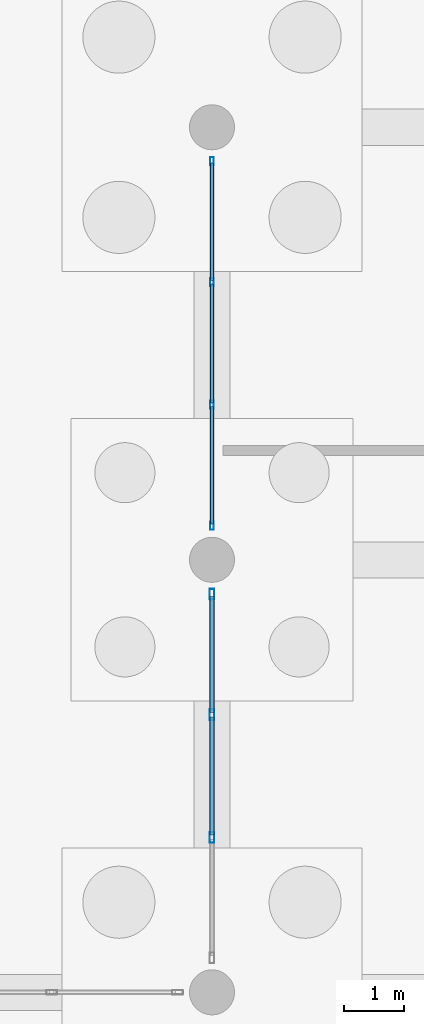
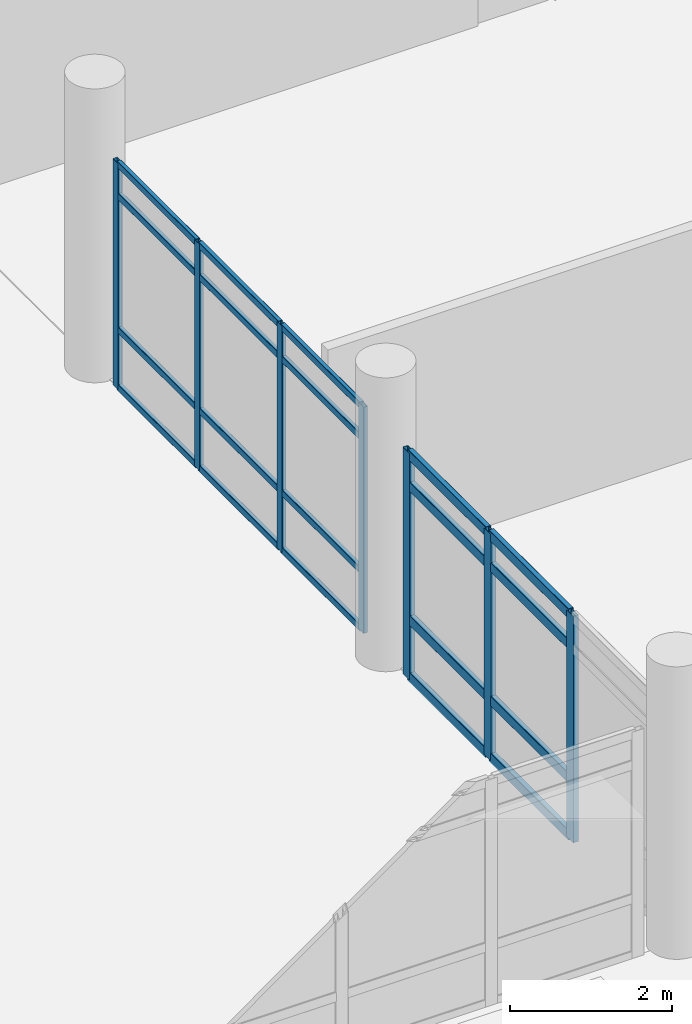
# One storey, part 93 of 196: 27 members, 2 elements without a shape of their own.
"""IFC4 building model written with IfcOpenShell, lengths in metres."""

from ifc_helpers import new_model, si_unit, direction, frame, origin, origin_2d, place, context, subcontext, project, spatial, hollow_rectangle, extrude, material, layer, layer_set, material_profile, profile_set, type_object, element, aggregate, save


model = new_model("IFC4")

# Units and contexts
model_context = context("Model", 3, precision=1e-05, world=origin(), true_north=direction((0.0, 1.0)))
body_context = subcontext(model_context, "Body", "Model", "MODEL_VIEW")
ifc_project = project(units=[si_unit("LENGTHUNIT", "METRE"), si_unit("AREAUNIT", "SQUARE_METRE"), si_unit("VOLUMEUNIT", "CUBIC_METRE"), si_unit("PLANEANGLEUNIT", "RADIAN"), si_unit("MASSUNIT", "GRAM", prefix="KILO")], contexts=[model_context])

# Site, building, storey
site_placement = place(None, origin())
site = spatial("IfcSite", under=ifc_project, at=site_placement, CompositionType="ELEMENT")
building_placement = place(site_placement, origin())
building = spatial("IfcBuilding", under=site, at=building_placement, Name="Asteropetra Specialist Clinic", CompositionType="ELEMENT")
storey_placement = place(building_placement, origin())
storey = spatial("IfcBuildingStorey", under=building, at=storey_placement, Name="L00", CompositionType="ELEMENT", Elevation=0.0)

# Curtain wall, members
ifc_material_1 = material(Name="Aluminium and low-E glass", Category="aluminium")
ifc_layer_1 = layer(ifc_material_1, 0.135009765625)
ifc_layer_set_1 = layer_set([ifc_layer_1], Name="Aluminium and low-E glass")
curtain_wall_type_1 = type_object("IfcCurtainWallType", Name="CW-SYS-06", PredefinedType="USERDEFINED", material=ifc_layer_set_1)
curtain_wall_1_placement = place(storey_placement, origin())
curtain_wall_1 = element("IfcCurtainWall", 1, at=curtain_wall_1_placement, inside=storey, type_object=curtain_wall_type_1, Name="Curtain Wall CW-008", ObjectType="UNITISED CURTAIN WALL", PredefinedType="USERDEFINED")
ifc_material_2 = material(Name="Aluminium 6063-T6", Category="aluminium")
ifc_material_profile_1 = material_profile(ifc_material_2, hollow_rectangle(XDim=0.06005859375, YDim=0.135009765625, WallThickness=0.00341796875, InnerFilletRadius=0.00341796875, OuterFilletRadius=0.007080078125, at=origin_2d()), Name="MUL 135x60x3.5")
ifc_profile_set_1 = profile_set([ifc_material_profile_1], Name="Aluminium 6063-T6")
member_type_1 = type_object("IfcMemberType", Name="CWM-135x60", PredefinedType="MULLION", material=ifc_profile_set_1)
member_1_placement = place(storey_placement, frame((28.800048828125, 84.56494140625, 0.0), z_axis=(0.0, 0.0, 1.0), x_axis=(-1.0, 0.0, 0.0)))
member_1 = element("IfcMember", 2, at=member_1_placement, type_object=member_type_1, Name="CW-008 mullion 1", PredefinedType="MULLION", context=body_context, shape_type="SweptSolid", body=[
    extrude(hollow_rectangle(XDim=0.06005859375, YDim=0.135009765625, WallThickness=0.00341796875, InnerFilletRadius=0.00341796875, OuterFilletRadius=0.007080078125, at=origin_2d()), origin(), (0.0, 0.0, 1.0), 3.419921875),
])
member_2_placement = place(storey_placement, frame((28.800048828125, 86.578369140625, 0.0), z_axis=(0.0, 0.0, 1.0), x_axis=(-1.0, 0.0, 0.0)))
member_2 = element("IfcMember", 3, at=member_2_placement, type_object=member_type_1, Name="CW-008 mullion 2", PredefinedType="MULLION", context=body_context, shape_type="SweptSolid", body=[
    extrude(hollow_rectangle(XDim=0.06005859375, YDim=0.135009765625, WallThickness=0.00341796875, InnerFilletRadius=0.00341796875, OuterFilletRadius=0.007080078125, at=origin_2d()), origin(), (0.0, 0.0, 1.0), 3.419921875),
])
member_3_placement = place(storey_placement, frame((28.800048828125, 88.62158203125, 0.0), z_axis=(0.0, 0.0, 1.0), x_axis=(-1.0, 0.0, 0.0)))
member_3 = element("IfcMember", 4, at=member_3_placement, type_object=member_type_1, Name="CW-008 mullion 3", PredefinedType="MULLION", context=body_context, shape_type="SweptSolid", body=[
    extrude(hollow_rectangle(XDim=0.06005859375, YDim=0.135009765625, WallThickness=0.00341796875, InnerFilletRadius=0.00341796875, OuterFilletRadius=0.007080078125, at=origin_2d()), origin(), (0.0, 0.0, 1.0), 3.419921875),
])
member_4_placement = place(storey_placement, frame((28.800048828125, 90.635009765625, 0.0), z_axis=(0.0, 0.0, 1.0), x_axis=(-1.0, 0.0, 0.0)))
member_4 = element("IfcMember", 5, at=member_4_placement, type_object=member_type_1, Name="CW-008 mullion 4", PredefinedType="MULLION", context=body_context, shape_type="SweptSolid", body=[
    extrude(hollow_rectangle(XDim=0.06005859375, YDim=0.135009765625, WallThickness=0.00341796875, InnerFilletRadius=0.00341796875, OuterFilletRadius=0.007080078125, at=origin_2d()), origin(), (0.0, 0.0, 1.0), 3.419921875),
])

ifc_material_3 = material(Name="Aluminium and low-E glass", Category="aluminium")
ifc_layer_2 = layer(ifc_material_3, 0.14990234375)
ifc_layer_set_2 = layer_set([ifc_layer_2], Name="Aluminium and low-E glass")
curtain_wall_type_2 = type_object("IfcCurtainWallType", Name="CW-SYS-05", PredefinedType="USERDEFINED", material=ifc_layer_set_2)
curtain_wall_2_placement = place(storey_placement, origin())
curtain_wall_2 = element("IfcCurtainWall", 6, at=curtain_wall_2_placement, inside=storey, type_object=curtain_wall_type_2, Name="Curtain Wall CW-006", ObjectType="UNITISED CURTAIN WALL", PredefinedType="USERDEFINED")
ifc_material_4 = material(Name="Aluminium 6063-T6", Category="aluminium")
ifc_material_profile_2 = material_profile(ifc_material_4, hollow_rectangle(XDim=0.074951171875, YDim=0.179931640625, WallThickness=0.00390625, InnerFilletRadius=0.00390625, OuterFilletRadius=0.008056640625, at=origin_2d()), Name="MUL 180x75x4.0")
ifc_profile_set_2 = profile_set([ifc_material_profile_2], Name="Aluminium 6063-T6")
member_type_2 = type_object("IfcMemberType", Name="CWM-180x75", PredefinedType="MULLION", material=ifc_profile_set_2)
member_5_placement = place(storey_placement, frame((28.800048828125, 79.37841796875, 0.0), z_axis=(0.0, 0.0, 1.0), x_axis=(-1.0, 0.0, 0.0)))
member_5 = element("IfcMember", 7, at=member_5_placement, type_object=member_type_2, Name="CW-006 mullion 2", PredefinedType="MULLION", context=body_context, shape_type="SweptSolid", body=[
    extrude(hollow_rectangle(XDim=0.074951171875, YDim=0.179931640625, WallThickness=0.00390625, InnerFilletRadius=0.00390625, OuterFilletRadius=0.008056640625, at=origin_2d()), origin(), (0.0, 0.0, 1.0), 3.419921875),
])
member_6_placement = place(storey_placement, frame((28.800048828125, 81.421630859375, 0.0), z_axis=(0.0, 0.0, 1.0), x_axis=(-1.0, 0.0, 0.0)))
member_6 = element("IfcMember", 8, at=member_6_placement, type_object=member_type_2, Name="CW-006 mullion 3", PredefinedType="MULLION", context=body_context, shape_type="SweptSolid", body=[
    extrude(hollow_rectangle(XDim=0.074951171875, YDim=0.179931640625, WallThickness=0.00390625, InnerFilletRadius=0.00390625, OuterFilletRadius=0.008056640625, at=origin_2d()), origin(), (0.0, 0.0, 1.0), 3.419921875),
])
member_7_placement = place(storey_placement, frame((28.800048828125, 83.427490234375, 0.0), z_axis=(0.0, 0.0, 1.0), x_axis=(-1.0, 0.0, 0.0)))
member_7 = element("IfcMember", 9, at=member_7_placement, type_object=member_type_2, Name="CW-006 mullion 4", PredefinedType="MULLION", context=body_context, shape_type="SweptSolid", body=[
    extrude(hollow_rectangle(XDim=0.074951171875, YDim=0.179931640625, WallThickness=0.00390625, InnerFilletRadius=0.00390625, OuterFilletRadius=0.008056640625, at=origin_2d()), origin(), (0.0, 0.0, 1.0), 3.419921875),
])

# Member
ifc_material_5 = material(Name="Aluminium 6063-T6", Category="aluminium")
ifc_material_profile_3 = material_profile(ifc_material_5, hollow_rectangle(XDim=0.06005859375, YDim=0.10009765625, WallThickness=0.00341796875, InnerFilletRadius=0.00341796875, OuterFilletRadius=0.007080078125, at=origin_2d()), Name="TRN 100x60x3.5")
ifc_profile_set_3 = profile_set([ifc_material_profile_3], Name="Aluminium 6063-T6")
member_type_3 = type_object("IfcMemberType", Name="CWT-100x60", PredefinedType="USERDEFINED", material=ifc_profile_set_3)
member_8_placement = place(storey_placement, frame((28.800048828125, 84.594970703125, 0.030029296875), z_axis=(0.0, 1.0, 0.0), x_axis=(-1.0, 0.0, 0.0)))
member_8 = element("IfcMember", 10, at=member_8_placement, type_object=member_type_3, Name="CW-008 transom 1.1", ObjectType="TRANSOM", PredefinedType="USERDEFINED", context=body_context, shape_type="SweptSolid", body=[
    extrude(hollow_rectangle(XDim=0.06005859375, YDim=0.10009765625, WallThickness=0.00341796875, InnerFilletRadius=0.00341796875, OuterFilletRadius=0.007080078125, at=origin_2d()), origin(), (0.0, 0.0, 1.0), 1.953369140625),
])

member_9_placement = place(storey_placement, frame((28.800048828125, 84.594970703125, 0.89990234375), z_axis=(0.0, 1.0, 0.0), x_axis=(-1.0, 0.0, 0.0)))
member_9 = element("IfcMember", 11, at=member_9_placement, type_object=member_type_3, Name="CW-008 transom 1.2", ObjectType="TRANSOM", PredefinedType="USERDEFINED", context=body_context, shape_type="SweptSolid", body=[
    extrude(hollow_rectangle(XDim=0.06005859375, YDim=0.10009765625, WallThickness=0.00341796875, InnerFilletRadius=0.00341796875, OuterFilletRadius=0.007080078125, at=origin_2d()), origin(), (0.0, 0.0, 1.0), 1.953369140625),
])

member_10_placement = place(storey_placement, frame((28.800048828125, 84.594970703125, 2.919921875), z_axis=(0.0, 1.0, 0.0), x_axis=(-1.0, 0.0, 0.0)))
member_10 = element("IfcMember", 12, at=member_10_placement, type_object=member_type_3, Name="CW-008 transom 1.3", ObjectType="TRANSOM", PredefinedType="USERDEFINED", context=body_context, shape_type="SweptSolid", body=[
    extrude(hollow_rectangle(XDim=0.06005859375, YDim=0.10009765625, WallThickness=0.00341796875, InnerFilletRadius=0.00341796875, OuterFilletRadius=0.007080078125, at=origin_2d()), origin(), (0.0, 0.0, 1.0), 1.953369140625),
])

member_11_placement = place(storey_placement, frame((28.800048828125, 84.594970703125, 3.389892578125), z_axis=(0.0, 1.0, 0.0), x_axis=(-1.0, 0.0, 0.0)))
member_11 = element("IfcMember", 13, at=member_11_placement, type_object=member_type_3, Name="CW-008 transom 1.4", ObjectType="TRANSOM", PredefinedType="USERDEFINED", context=body_context, shape_type="SweptSolid", body=[
    extrude(hollow_rectangle(XDim=0.06005859375, YDim=0.10009765625, WallThickness=0.00341796875, InnerFilletRadius=0.00341796875, OuterFilletRadius=0.007080078125, at=origin_2d()), origin(), (0.0, 0.0, 1.0), 1.953369140625),
])

member_12_placement = place(storey_placement, frame((28.800048828125, 86.6083984375, 0.030029296875), z_axis=(0.0, 1.0, 0.0), x_axis=(-1.0, 0.0, 0.0)))
member_12 = element("IfcMember", 14, at=member_12_placement, type_object=member_type_3, Name="CW-008 transom 2.1", ObjectType="TRANSOM", PredefinedType="USERDEFINED", context=body_context, shape_type="SweptSolid", body=[
    extrude(hollow_rectangle(XDim=0.06005859375, YDim=0.10009765625, WallThickness=0.00341796875, InnerFilletRadius=0.00341796875, OuterFilletRadius=0.007080078125, at=origin_2d()), origin(), (0.0, 0.0, 1.0), 1.983154296875),
])

member_13_placement = place(storey_placement, frame((28.800048828125, 86.6083984375, 0.89990234375), z_axis=(0.0, 1.0, 0.0), x_axis=(-1.0, 0.0, 0.0)))
member_13 = element("IfcMember", 15, at=member_13_placement, type_object=member_type_3, Name="CW-008 transom 2.2", ObjectType="TRANSOM", PredefinedType="USERDEFINED", context=body_context, shape_type="SweptSolid", body=[
    extrude(hollow_rectangle(XDim=0.06005859375, YDim=0.10009765625, WallThickness=0.00341796875, InnerFilletRadius=0.00341796875, OuterFilletRadius=0.007080078125, at=origin_2d()), origin(), (0.0, 0.0, 1.0), 1.983154296875),
])

member_14_placement = place(storey_placement, frame((28.800048828125, 86.6083984375, 2.919921875), z_axis=(0.0, 1.0, 0.0), x_axis=(-1.0, 0.0, 0.0)))
member_14 = element("IfcMember", 16, at=member_14_placement, type_object=member_type_3, Name="CW-008 transom 2.3", ObjectType="TRANSOM", PredefinedType="USERDEFINED", context=body_context, shape_type="SweptSolid", body=[
    extrude(hollow_rectangle(XDim=0.06005859375, YDim=0.10009765625, WallThickness=0.00341796875, InnerFilletRadius=0.00341796875, OuterFilletRadius=0.007080078125, at=origin_2d()), origin(), (0.0, 0.0, 1.0), 1.983154296875),
])

member_15_placement = place(storey_placement, frame((28.800048828125, 86.6083984375, 3.389892578125), z_axis=(0.0, 1.0, 0.0), x_axis=(-1.0, 0.0, 0.0)))
member_15 = element("IfcMember", 17, at=member_15_placement, type_object=member_type_3, Name="CW-008 transom 2.4", ObjectType="TRANSOM", PredefinedType="USERDEFINED", context=body_context, shape_type="SweptSolid", body=[
    extrude(hollow_rectangle(XDim=0.06005859375, YDim=0.10009765625, WallThickness=0.00341796875, InnerFilletRadius=0.00341796875, OuterFilletRadius=0.007080078125, at=origin_2d()), origin(), (0.0, 0.0, 1.0), 1.983154296875),
])

member_16_placement = place(storey_placement, frame((28.800048828125, 88.651611328125, 0.030029296875), z_axis=(0.0, 1.0, 0.0), x_axis=(-1.0, 0.0, 0.0)))
member_16 = element("IfcMember", 18, at=member_16_placement, type_object=member_type_3, Name="CW-008 transom 3.1", ObjectType="TRANSOM", PredefinedType="USERDEFINED", context=body_context, shape_type="SweptSolid", body=[
    extrude(hollow_rectangle(XDim=0.06005859375, YDim=0.10009765625, WallThickness=0.00341796875, InnerFilletRadius=0.00341796875, OuterFilletRadius=0.007080078125, at=origin_2d()), origin(), (0.0, 0.0, 1.0), 1.953369140625),
])

member_17_placement = place(storey_placement, frame((28.800048828125, 88.651611328125, 0.89990234375), z_axis=(0.0, 1.0, 0.0), x_axis=(-1.0, 0.0, 0.0)))
member_17 = element("IfcMember", 19, at=member_17_placement, type_object=member_type_3, Name="CW-008 transom 3.2", ObjectType="TRANSOM", PredefinedType="USERDEFINED", context=body_context, shape_type="SweptSolid", body=[
    extrude(hollow_rectangle(XDim=0.06005859375, YDim=0.10009765625, WallThickness=0.00341796875, InnerFilletRadius=0.00341796875, OuterFilletRadius=0.007080078125, at=origin_2d()), origin(), (0.0, 0.0, 1.0), 1.953369140625),
])

member_18_placement = place(storey_placement, frame((28.800048828125, 88.651611328125, 2.919921875), z_axis=(0.0, 1.0, 0.0), x_axis=(-1.0, 0.0, 0.0)))
member_18 = element("IfcMember", 20, at=member_18_placement, type_object=member_type_3, Name="CW-008 transom 3.3", ObjectType="TRANSOM", PredefinedType="USERDEFINED", context=body_context, shape_type="SweptSolid", body=[
    extrude(hollow_rectangle(XDim=0.06005859375, YDim=0.10009765625, WallThickness=0.00341796875, InnerFilletRadius=0.00341796875, OuterFilletRadius=0.007080078125, at=origin_2d()), origin(), (0.0, 0.0, 1.0), 1.953369140625),
])

member_19_placement = place(storey_placement, frame((28.800048828125, 88.651611328125, 3.389892578125), z_axis=(0.0, 1.0, 0.0), x_axis=(-1.0, 0.0, 0.0)))
member_19 = element("IfcMember", 21, at=member_19_placement, type_object=member_type_3, Name="CW-008 transom 3.4", ObjectType="TRANSOM", PredefinedType="USERDEFINED", context=body_context, shape_type="SweptSolid", body=[
    extrude(hollow_rectangle(XDim=0.06005859375, YDim=0.10009765625, WallThickness=0.00341796875, InnerFilletRadius=0.00341796875, OuterFilletRadius=0.007080078125, at=origin_2d()), origin(), (0.0, 0.0, 1.0), 1.953369140625),
])

aggregate(curtain_wall_1, [member_1, member_2, member_3, member_4, member_8, member_9, member_10, member_11, member_12, member_13, member_14, member_15, member_16, member_17, member_18, member_19])

ifc_material_6 = material(Name="Aluminium 6063-T6", Category="aluminium")
ifc_material_profile_4 = material_profile(ifc_material_6, hollow_rectangle(XDim=0.074951171875, YDim=0.14990234375, WallThickness=0.00390625, InnerFilletRadius=0.00390625, OuterFilletRadius=0.008056640625, at=origin_2d()), Name="TRN 150x75x4.0")
ifc_profile_set_4 = profile_set([ifc_material_profile_4], Name="Aluminium 6063-T6")
member_type_4 = type_object("IfcMemberType", Name="CWT-150x75", PredefinedType="USERDEFINED", material=ifc_profile_set_4)
member_20_placement = place(storey_placement, frame((28.800048828125, 79.415771484375, 0.03759765625), z_axis=(0.0, 1.0, 0.0), x_axis=(-1.0, 0.0, 0.0)))
member_20 = element("IfcMember", 22, at=member_20_placement, type_object=member_type_4, Name="CW-006 transom 2.1", ObjectType="TRANSOM", PredefinedType="USERDEFINED", context=body_context, shape_type="SweptSolid", body=[
    extrude(hollow_rectangle(XDim=0.074951171875, YDim=0.14990234375, WallThickness=0.00390625, InnerFilletRadius=0.00390625, OuterFilletRadius=0.008056640625, at=origin_2d()), origin(), (0.0, 0.0, 1.0), 1.968505859375),
])

member_21_placement = place(storey_placement, frame((28.800048828125, 79.415771484375, 0.89990234375), z_axis=(0.0, 1.0, 0.0), x_axis=(-1.0, 0.0, 0.0)))
member_21 = element("IfcMember", 23, at=member_21_placement, type_object=member_type_4, Name="CW-006 transom 2.2", ObjectType="TRANSOM", PredefinedType="USERDEFINED", context=body_context, shape_type="SweptSolid", body=[
    extrude(hollow_rectangle(XDim=0.074951171875, YDim=0.14990234375, WallThickness=0.00390625, InnerFilletRadius=0.00390625, OuterFilletRadius=0.008056640625, at=origin_2d()), origin(), (0.0, 0.0, 1.0), 1.968505859375),
])

member_22_placement = place(storey_placement, frame((28.800048828125, 79.415771484375, 2.919921875), z_axis=(0.0, 1.0, 0.0), x_axis=(-1.0, 0.0, 0.0)))
member_22 = element("IfcMember", 24, at=member_22_placement, type_object=member_type_4, Name="CW-006 transom 2.3", ObjectType="TRANSOM", PredefinedType="USERDEFINED", context=body_context, shape_type="SweptSolid", body=[
    extrude(hollow_rectangle(XDim=0.074951171875, YDim=0.14990234375, WallThickness=0.00390625, InnerFilletRadius=0.00390625, OuterFilletRadius=0.008056640625, at=origin_2d()), origin(), (0.0, 0.0, 1.0), 1.968505859375),
])

member_23_placement = place(storey_placement, frame((28.800048828125, 79.415771484375, 3.382568359375), z_axis=(0.0, 1.0, 0.0), x_axis=(-1.0, 0.0, 0.0)))
member_23 = element("IfcMember", 25, at=member_23_placement, type_object=member_type_4, Name="CW-006 transom 2.4", ObjectType="TRANSOM", PredefinedType="USERDEFINED", context=body_context, shape_type="SweptSolid", body=[
    extrude(hollow_rectangle(XDim=0.074951171875, YDim=0.14990234375, WallThickness=0.00390625, InnerFilletRadius=0.00390625, OuterFilletRadius=0.008056640625, at=origin_2d()), origin(), (0.0, 0.0, 1.0), 1.968505859375),
])

member_24_placement = place(storey_placement, frame((28.800048828125, 81.459228515625, 0.03759765625), z_axis=(0.0, 1.0, 0.0), x_axis=(-1.0, 0.0, 0.0)))
member_24 = element("IfcMember", 26, at=member_24_placement, type_object=member_type_4, Name="CW-006 transom 3.1", ObjectType="TRANSOM", PredefinedType="USERDEFINED", context=body_context, shape_type="SweptSolid", body=[
    extrude(hollow_rectangle(XDim=0.074951171875, YDim=0.14990234375, WallThickness=0.00390625, InnerFilletRadius=0.00390625, OuterFilletRadius=0.008056640625, at=origin_2d()), origin(), (0.0, 0.0, 1.0), 1.9306640625),
])

member_25_placement = place(storey_placement, frame((28.800048828125, 81.459228515625, 0.89990234375), z_axis=(0.0, 1.0, 0.0), x_axis=(-1.0, 0.0, 0.0)))
member_25 = element("IfcMember", 27, at=member_25_placement, type_object=member_type_4, Name="CW-006 transom 3.2", ObjectType="TRANSOM", PredefinedType="USERDEFINED", context=body_context, shape_type="SweptSolid", body=[
    extrude(hollow_rectangle(XDim=0.074951171875, YDim=0.14990234375, WallThickness=0.00390625, InnerFilletRadius=0.00390625, OuterFilletRadius=0.008056640625, at=origin_2d()), origin(), (0.0, 0.0, 1.0), 1.9306640625),
])

member_26_placement = place(storey_placement, frame((28.800048828125, 81.459228515625, 2.919921875), z_axis=(0.0, 1.0, 0.0), x_axis=(-1.0, 0.0, 0.0)))
member_26 = element("IfcMember", 28, at=member_26_placement, type_object=member_type_4, Name="CW-006 transom 3.3", ObjectType="TRANSOM", PredefinedType="USERDEFINED", context=body_context, shape_type="SweptSolid", body=[
    extrude(hollow_rectangle(XDim=0.074951171875, YDim=0.14990234375, WallThickness=0.00390625, InnerFilletRadius=0.00390625, OuterFilletRadius=0.008056640625, at=origin_2d()), origin(), (0.0, 0.0, 1.0), 1.9306640625),
])

member_27_placement = place(storey_placement, frame((28.800048828125, 81.459228515625, 3.382568359375), z_axis=(0.0, 1.0, 0.0), x_axis=(-1.0, 0.0, 0.0)))
member_27 = element("IfcMember", 29, at=member_27_placement, type_object=member_type_4, Name="CW-006 transom 3.4", ObjectType="TRANSOM", PredefinedType="USERDEFINED", context=body_context, shape_type="SweptSolid", body=[
    extrude(hollow_rectangle(XDim=0.074951171875, YDim=0.14990234375, WallThickness=0.00390625, InnerFilletRadius=0.00390625, OuterFilletRadius=0.008056640625, at=origin_2d()), origin(), (0.0, 0.0, 1.0), 1.9306640625),
])

aggregate(curtain_wall_2, [member_5, member_6, member_7, member_20, member_21, member_22, member_23, member_24, member_25, member_26, member_27])

save(model, "model.ifc")
